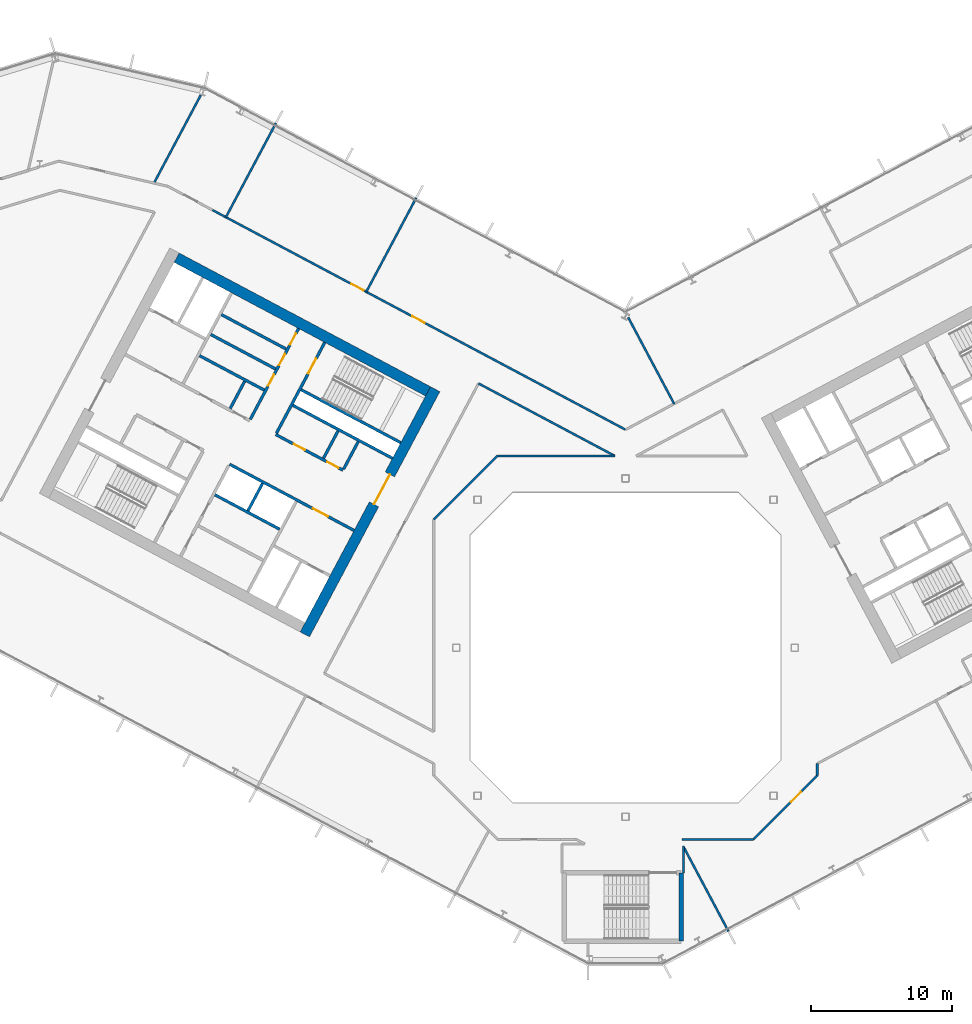
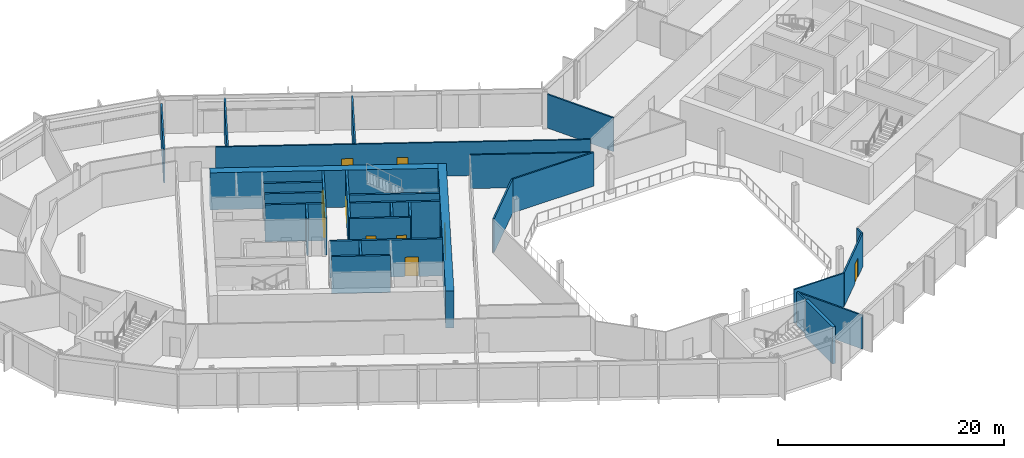
# One storey, part 15 of 28: 30 walls, 11 doors, 11 openings.
"""IFC4 building model written with IfcOpenShell, lengths in metres."""

from ifc_helpers import new_model, si_unit, direction, frame, frame_2d, origin, place, context, subcontext, project, spatial, rectangle, extrude, material, layer, layer_set, type_object, element, fill, save


model = new_model("IFC4")

# Units and contexts
model_context = context("Model", 3, precision=1e-05, world=origin(), true_north=direction((0.0, 1.0)))
body_context = subcontext(model_context, "Body", "Model", "MODEL_VIEW")
ifc_project = project(units=[si_unit("LENGTHUNIT", "METRE"), si_unit("AREAUNIT", "SQUARE_METRE"), si_unit("VOLUMEUNIT", "CUBIC_METRE"), si_unit("PLANEANGLEUNIT", "RADIAN"), si_unit("MASSUNIT", "GRAM", prefix="KILO")], contexts=[model_context])

# Site, building, storey
site_placement = place(None, origin())
site = spatial("IfcSite", under=ifc_project, at=site_placement, CompositionType="ELEMENT")
building_placement = place(site_placement, origin())
building = spatial("IfcBuilding", under=site, at=building_placement, Name="Cormorant Relay Tower", CompositionType="ELEMENT")
storey_placement = place(building_placement, frame((0.0, 0.0, 170.199951171875)))
storey = spatial("IfcBuildingStorey", under=building, at=storey_placement, Name="L36", CompositionType="ELEMENT", Elevation=170.199951171875)

# Walls
ifc_material_1 = material(Name="Concrete 40 MPa", Category="concrete")
ifc_layer_1 = layer(ifc_material_1, 0.199951171875)
ifc_layer_set_1 = layer_set([ifc_layer_1], Name="Core internal wall 200")
wall_type_1 = type_object("IfcWallType", Name="Core internal wall 200", PredefinedType="SOLIDWALL", material=ifc_layer_set_1)
wall_1_placement = place(storey_placement, frame((-20.39013671875, 15.371826171875, 0.0), z_axis=(0.0, 0.0, 1.0), x_axis=(-0.4694473164, -0.882960484464, 0.0)))
element("IfcWall", 1, at=wall_1_placement, inside=storey, type_object=wall_type_1, Name="L36 core A shaft and room wall", PredefinedType="SOLIDWALL", context=body_context, shape_type="SweptSolid", body=[
    extrude(rectangle(XDim=2.199951171875, YDim=0.199951171875, at=frame_2d((1.10009765625, 0.0))), origin(), (0.0, 0.0, 1.0), 4.0),
])
wall_2_placement = place(storey_placement, frame((-25.744140625, 11.64990234375, 0.0), z_axis=(0.0, 0.0, 1.0), x_axis=(-0.469487830541, -0.882938942948, 0.0)))
element("IfcWall", 2, at=wall_2_placement, inside=storey, type_object=wall_type_1, Name="L36 core A shaft and room wall", PredefinedType="SOLIDWALL", context=body_context, shape_type="SweptSolid", body=[
    extrude(rectangle(XDim=2.2001953125, YDim=0.199951171875, at=frame_2d((1.10009765625, 0.0))), origin(), (0.0, 0.0, 1.0), 4.0),
])
wall_3_placement = place(storey_placement, frame((-27.01220703125, 18.892822265625, 0.0), z_axis=(0.0, 0.0, 1.0), x_axis=(-0.4694473164, -0.882960484464, 0.0)))
element("IfcWall", 3, at=wall_3_placement, inside=storey, type_object=wall_type_1, Name="L36 core A shaft and room wall", PredefinedType="SOLIDWALL", context=body_context, shape_type="SweptSolid", body=[
    extrude(rectangle(XDim=2.199951171875, YDim=0.199951171875, at=frame_2d((1.10009765625, 0.0))), origin(), (0.0, 0.0, 1.0), 4.0),
])
for number, where, z_axis, x_axis, name in (
    (4, (-24.073974609375, 21.181396484375, 0.0), (0.0, 0.0, 1.0), (-0.882953967957, 0.469459572775, 0.0), "L36 core A shaft and room wall"),
    (5, (-24.824951171875, 19.7685546875, 0.0), (0.0, 0.0, 1.0), (-0.882934506056, 0.469496174655, 0.0), "L36 core A shaft and room wall"),
):
    element("IfcWall", number, at=place(storey_placement, frame(where, z_axis=z_axis, x_axis=x_axis)), inside=storey, type_object=wall_type_1, Name=name, PredefinedType="SOLIDWALL", context=body_context, shape_type="SweptSolid", body=[
        extrude(rectangle(XDim=5.199951171875, YDim=0.199951171875, at=frame_2d((2.60009765625, 0.0))), origin(), (0.0, 0.0, 1.0), 4.0),
    ])
ifc_material_2 = material(Name="Concrete 50 MPa", Category="concrete")
ifc_layer_2 = layer(ifc_material_2, 0.199951171875)
ifc_layer_set_2 = layer_set([ifc_layer_2], Name="Core shaft wall 200")
wall_type_2 = type_object("IfcWallType", Name="Core shaft wall 200", PredefinedType="SHEAR", material=ifc_layer_set_2)
wall_4_placement = place(storey_placement, frame((-18.959716796875, 14.611328125, 0.0), z_axis=(0.0, 0.0, 1.0), x_axis=(-0.4694473164, -0.882960484464, 0.0)))
element("IfcWall", 6, at=wall_4_placement, inside=storey, type_object=wall_type_2, Name="L36 core A shaft wall", PredefinedType="SHEAR", context=body_context, shape_type="SweptSolid", body=[
    extrude(rectangle(XDim=2.199951171875, YDim=0.199951171875, at=frame_2d((1.10009765625, 0.0))), origin(), (0.0, 0.0, 1.0), 4.0),
])

# Wall, opening, door
wall_5_placement = place(storey_placement, frame((-21.333251953125, 21.6494140625, 0.0), z_axis=(0.0, 0.0, 1.0), x_axis=(-0.469494272526, -0.882935517501, 0.0)))
wall_5 = element("IfcWall", 7, at=wall_5_placement, inside=storey, type_object=wall_type_2, Name="L36 core A shaft wall", PredefinedType="SHEAR", context=body_context, shape_type="SweptSolid", body=[
    extrude(rectangle(XDim=7.2998046875, YDim=0.199951171875, at=frame_2d((3.64990234375, 0.0))), origin(), (0.0, 0.0, 1.0), 4.0),
])
opening_1_placement = place(wall_5_placement, frame((1.300048828125, 0.0, 0.0)))
opening_1 = element("IfcOpeningElement", 8, at=opening_1_placement, cuts=wall_5, Name="Opening CDB-034", PredefinedType="OPENING", context=body_context, shape_type="SweptSolid", body=[
    extrude(rectangle(XDim=1.199951171875, YDim=2.10009765625, at=frame_2d((0.60009765625, 1.050048828125))), frame((0.0, 0.10986328125, 0.0), z_axis=(0.0, -1.0, 0.0), x_axis=(1.0, 0.0, 0.0)), (0.0, 0.0, 1.0), 0.219970703125),
])
ifc_material_3 = material(Name="Steel fire door", Category="steel")
door_type_1 = type_object("IfcDoorType", Name="Core stair door 1200x2100", OperationType="SINGLE_SWING_LEFT", PredefinedType="DOOR", material=ifc_material_3)
door_1_placement = place(opening_1_placement, origin())
door_1 = element("IfcDoor", 9, at=door_1_placement, inside=storey, type_object=door_type_1, Name="Core stair door 1200x2100", OperationType="SINGLE_SWING_RIGHT", OverallHeight=2.10009765625, OverallWidth=1.199951171875, PredefinedType="DOOR", context=body_context, shape_type="SweptSolid", body=[
    extrude(rectangle(XDim=1.199951171875, YDim=2.10009765625, at=frame_2d((0.60009765625, 1.050048828125))), frame((0.0, 0.02490234375, 0.0), z_axis=(0.0, -1.0, 0.0), x_axis=(1.0, 0.0, 0.0)), (0.0, 0.0, 1.0), 0.050048828125),
])
fill(opening_1, door_1)

# Wall, openings, doors
wall_6_placement = place(storey_placement, frame((-23.1875, 22.635498046875, 0.0), z_axis=(0.0, 0.0, 1.0), x_axis=(-0.469454336211, -0.882956752176, 0.0)))
wall_6 = element("IfcWall", 10, at=wall_6_placement, inside=storey, type_object=wall_type_2, Name="L36 core A shaft wall", PredefinedType="SHEAR", context=body_context, shape_type="SweptSolid", body=[
    extrude(rectangle(XDim=7.300048828125, YDim=0.199951171875, at=frame_2d((3.64990234375, 0.0))), origin(), (0.0, 0.0, 1.0), 4.0),
])
opening_2_placement = place(wall_6_placement, frame((0.39990234375, 0.0, 0.0)))
opening_2 = element("IfcOpeningElement", 11, at=opening_2_placement, cuts=wall_6, Name="Opening CDD-174", PredefinedType="OPENING", context=body_context, shape_type="SweptSolid", body=[
    extrude(rectangle(XDim=0.89990234375, YDim=2.10009765625, at=frame_2d((0.449951171875, 1.050048828125))), frame((0.0, 0.10986328125, 0.0), z_axis=(0.0, -1.0, 0.0), x_axis=(1.0, 0.0, 0.0)), (0.0, 0.0, 1.0), 0.219970703125),
])
opening_3_placement = place(wall_6_placement, frame((2.050048828125, 0.0, 0.0)))
opening_3 = element("IfcOpeningElement", 12, at=opening_3_placement, cuts=wall_6, Name="Opening CDD-212", PredefinedType="OPENING", context=body_context, shape_type="SweptSolid", body=[
    extrude(rectangle(XDim=0.89990234375, YDim=2.10009765625, at=frame_2d((0.449951171875, 1.050048828125))), frame((0.0, 0.10986328125, 0.0), z_axis=(0.0, -1.0, 0.0), x_axis=(1.0, 0.0, 0.0)), (0.0, 0.0, 1.0), 0.219970703125),
])
opening_4_placement = place(wall_6_placement, frame((3.699951171875, 0.0, 0.0)))
opening_4 = element("IfcOpeningElement", 13, at=opening_4_placement, cuts=wall_6, Name="Opening CDD-200", PredefinedType="OPENING", context=body_context, shape_type="SweptSolid", body=[
    extrude(rectangle(XDim=0.89990234375, YDim=2.10009765625, at=frame_2d((0.449951171875, 1.050048828125))), frame((0.0, 0.10986328125, 0.0), z_axis=(0.0, -1.0, 0.0), x_axis=(1.0, 0.0, 0.0)), (0.0, 0.0, 1.0), 0.219970703125),
])
ifc_material_4 = material(Name="Steel fire door", Category="steel")
door_type_2 = type_object("IfcDoorType", Name="Core room door 900x2100", OperationType="SINGLE_SWING_LEFT", PredefinedType="DOOR", material=ifc_material_4)
door_2_placement = place(opening_2_placement, origin())
door_2 = element("IfcDoor", 14, at=door_2_placement, inside=storey, type_object=door_type_2, Name="Core room door 900x2100", OperationType="SINGLE_SWING_LEFT", OverallHeight=2.10009765625, OverallWidth=0.89990234375, PredefinedType="DOOR", context=body_context, shape_type="SweptSolid", body=[
    extrude(rectangle(XDim=0.89990234375, YDim=2.10009765625, at=frame_2d((0.449951171875, 1.050048828125))), frame((0.0, 0.02490234375, 0.0), z_axis=(0.0, -1.0, 0.0), x_axis=(1.0, 0.0, 0.0)), (0.0, 0.0, 1.0), 0.050048828125),
])
fill(opening_2, door_2)
door_3_placement = place(opening_3_placement, origin())
door_3 = element("IfcDoor", 15, at=door_3_placement, inside=storey, type_object=door_type_2, Name="Core room door 900x2100", OperationType="SINGLE_SWING_LEFT", OverallHeight=2.10009765625, OverallWidth=0.89990234375, PredefinedType="DOOR", context=body_context, shape_type="SweptSolid", body=[
    extrude(rectangle(XDim=0.89990234375, YDim=2.10009765625, at=frame_2d((0.449951171875, 1.050048828125))), frame((0.0, 0.02490234375, 0.0), z_axis=(0.0, -1.0, 0.0), x_axis=(1.0, 0.0, 0.0)), (0.0, 0.0, 1.0), 0.050048828125),
])
fill(opening_3, door_3)
door_4_placement = place(opening_4_placement, origin())
door_4 = element("IfcDoor", 16, at=door_4_placement, inside=storey, type_object=door_type_2, Name="Core room door 900x2100", OperationType="SINGLE_SWING_LEFT", OverallHeight=2.10009765625, OverallWidth=0.89990234375, PredefinedType="DOOR", context=body_context, shape_type="SweptSolid", body=[
    extrude(rectangle(XDim=0.89990234375, YDim=2.10009765625, at=frame_2d((0.449951171875, 1.050048828125))), frame((0.0, 0.02490234375, 0.0), z_axis=(0.0, -1.0, 0.0), x_axis=(1.0, 0.0, 0.0)), (0.0, 0.0, 1.0), 0.050048828125),
])
fill(opening_4, door_4)

# Walls
wall_7_placement = place(storey_placement, frame((-15.94189453125, 14.53564453125, 0.0), z_axis=(0.0, 0.0, 1.0), x_axis=(-0.882946947542, 0.469472776449, 0.0)))
element("IfcWall", 17, at=wall_7_placement, inside=storey, type_object=wall_type_2, Name="L36 core A shaft wall", PredefinedType="SHEAR", context=body_context, shape_type="SweptSolid", body=[
    extrude(rectangle(XDim=8.000244140625, YDim=0.199951171875, at=frame_2d((4.0, 0.0))), origin(), (0.0, 0.0, 1.0), 4.0),
])
wall_8_placement = place(storey_placement, frame((-16.52880859375, 13.43212890625, 0.0), z_axis=(0.0, 0.0, 1.0), x_axis=(-0.88295287151, 0.469461634952, 0.0)))
element("IfcWall", 18, at=wall_8_placement, inside=storey, type_object=wall_type_2, Name="L36 core A shaft wall", PredefinedType="SHEAR", context=body_context, shape_type="SweptSolid", body=[
    extrude(rectangle(XDim=7.999755859375, YDim=0.199951171875, at=frame_2d((4.0, 0.0))), origin(), (0.0, 0.0, 1.0), 4.0),
])
wall_9_placement = place(storey_placement, frame((-25.623046875, 18.267578125, 0.0), z_axis=(0.0, 0.0, 1.0), x_axis=(-0.882953967957, 0.469459572775, 0.0)))
element("IfcWall", 19, at=wall_9_placement, inside=storey, type_object=wall_type_2, Name="L36 core A shaft wall", PredefinedType="SHEAR", context=body_context, shape_type="SweptSolid", body=[
    extrude(rectangle(XDim=5.199951171875, YDim=0.199951171875, at=frame_2d((2.60009765625, 0.0))), origin(), (0.0, 0.0, 1.0), 4.0),
])

# Wall, openings, doors
wall_10_placement = place(storey_placement, frame((-20.03955078125, 12.58056640625, 0.0), z_axis=(0.0, 0.0, 1.0), x_axis=(-0.882942972946, 0.469480251476, 0.0)))
wall_10 = element("IfcWall", 20, at=wall_10_placement, inside=storey, type_object=wall_type_2, Name="L36 core A shaft wall", PredefinedType="SHEAR", context=body_context, shape_type="SweptSolid", body=[
    extrude(rectangle(XDim=5.39990234375, YDim=0.199951171875, at=frame_2d((2.699951171875, 0.0))), origin(), (0.0, 0.0, 1.0), 4.0),
])
opening_5_placement = place(wall_10_placement, frame((0.360107421875, 0.0, 0.0)))
opening_5 = element("IfcOpeningElement", 21, at=opening_5_placement, cuts=wall_10, Name="Opening CDD-168", PredefinedType="OPENING", context=body_context, shape_type="SweptSolid", body=[
    extrude(rectangle(XDim=0.89990234375, YDim=2.10009765625, at=frame_2d((0.449951171875, 1.050048828125))), frame((0.0, 0.10986328125, 0.0), z_axis=(0.0, -1.0, 0.0), x_axis=(1.0, 0.0, 0.0)), (0.0, 0.0, 1.0), 0.219970703125),
])
opening_6_placement = place(wall_10_placement, frame((3.06005859375, 0.0, 0.0)))
opening_6 = element("IfcOpeningElement", 22, at=opening_6_placement, cuts=wall_10, Name="Opening CDD-169", PredefinedType="OPENING", context=body_context, shape_type="SweptSolid", body=[
    extrude(rectangle(XDim=0.89990234375, YDim=2.10009765625, at=frame_2d((0.449951171875, 1.050048828125))), frame((0.0, 0.10986328125, 0.0), z_axis=(0.0, -1.0, 0.0), x_axis=(1.0, 0.0, 0.0)), (0.0, 0.0, 1.0), 0.219970703125),
])
door_5_placement = place(opening_5_placement, origin())
door_5 = element("IfcDoor", 23, at=door_5_placement, inside=storey, type_object=door_type_2, Name="Core room door 900x2100", OperationType="SINGLE_SWING_LEFT", OverallHeight=2.10009765625, OverallWidth=0.89990234375, PredefinedType="DOOR", context=body_context, shape_type="SweptSolid", body=[
    extrude(rectangle(XDim=0.89990234375, YDim=2.10009765625, at=frame_2d((0.449951171875, 1.050048828125))), frame((0.0, 0.02490234375, 0.0), z_axis=(0.0, -1.0, 0.0), x_axis=(1.0, 0.0, 0.0)), (0.0, 0.0, 1.0), 0.050048828125),
])
fill(opening_5, door_5)
door_6_placement = place(opening_6_placement, origin())
door_6 = element("IfcDoor", 24, at=door_6_placement, inside=storey, type_object=door_type_2, Name="Core room door 900x2100", OperationType="SINGLE_SWING_LEFT", OverallHeight=2.10009765625, OverallWidth=0.89990234375, PredefinedType="DOOR", context=body_context, shape_type="SweptSolid", body=[
    extrude(rectangle(XDim=0.89990234375, YDim=2.10009765625, at=frame_2d((0.449951171875, 1.050048828125))), frame((0.0, 0.02490234375, 0.0), z_axis=(0.0, -1.0, 0.0), x_axis=(1.0, 0.0, 0.0)), (0.0, 0.0, 1.0), 0.050048828125),
])
fill(opening_6, door_6)

# Wall, opening, door
wall_11_placement = place(storey_placement, frame((-19.251708984375, 8.31103515625, 0.0), z_axis=(0.0, 0.0, 1.0), x_axis=(-0.882955722218, 0.469456273365, 0.0)))
wall_11 = element("IfcWall", 25, at=wall_11_placement, inside=storey, type_object=wall_type_2, Name="L36 core A shaft wall", PredefinedType="SHEAR", context=body_context, shape_type="SweptSolid", body=[
    extrude(rectangle(XDim=10.0, YDim=0.199951171875, at=frame_2d((5.0, 0.0))), origin(), (0.0, 0.0, 1.0), 4.0),
])
opening_7_placement = place(wall_11_placement, frame((2.10009765625, 0.0, 0.0)))
opening_7 = element("IfcOpeningElement", 26, at=opening_7_placement, cuts=wall_11, Name="Opening CDC-025", PredefinedType="OPENING", context=body_context, shape_type="SweptSolid", body=[
    extrude(rectangle(XDim=1.199951171875, YDim=2.10009765625, at=frame_2d((0.60009765625, 1.050048828125))), frame((0.0, 0.10986328125, 0.0), z_axis=(0.0, -1.0, 0.0), x_axis=(1.0, 0.0, 0.0)), (0.0, 0.0, 1.0), 0.219970703125),
])
ifc_material_5 = material(Name="Steel fire door", Category="steel")
door_type_3 = type_object("IfcDoorType", Name="Core lobby door 1200x2100", OperationType="SINGLE_SWING_LEFT", PredefinedType="DOOR", material=ifc_material_5)
door_7_placement = place(opening_7_placement, origin())
door_7 = element("IfcDoor", 27, at=door_7_placement, inside=storey, type_object=door_type_3, Name="Core lobby door 1200x2100", OperationType="SINGLE_SWING_RIGHT", OverallHeight=2.10009765625, OverallWidth=1.199951171875, PredefinedType="DOOR", context=body_context, shape_type="SweptSolid", body=[
    extrude(rectangle(XDim=1.199951171875, YDim=2.10009765625, at=frame_2d((0.60009765625, 1.050048828125))), frame((0.0, 0.02490234375, 0.0), z_axis=(0.0, -1.0, 0.0), x_axis=(1.0, 0.0, 0.0)), (0.0, 0.0, 1.0), 0.050048828125),
])
fill(opening_7, door_7)

# Wall
wall_12_placement = place(storey_placement, frame((-24.5283203125, 8.3984375, 0.0), z_axis=(0.0, 0.0, 1.0), x_axis=(-0.882953967957, 0.469459572775, 0.0)))
element("IfcWall", 28, at=wall_12_placement, inside=storey, type_object=wall_type_2, Name="L36 core A shaft wall", PredefinedType="SHEAR", context=body_context, shape_type="SweptSolid", body=[
    extrude(rectangle(XDim=5.199951171875, YDim=0.199951171875, at=frame_2d((2.60009765625, 0.0))), origin(), (0.0, 0.0, 1.0), 4.0),
])

# Wall, opening, door
ifc_material_6 = material(Name="Concrete 60 MPa", Category="concrete")
ifc_layer_3 = layer(ifc_material_6, 0.75)
ifc_layer_set_3 = layer_set([ifc_layer_3], Name="Core wall 750")
wall_type_3 = type_object("IfcWallType", Name="Core wall 750", PredefinedType="SHEAR", material=ifc_layer_set_3)
wall_13_placement = place(storey_placement, frame((-13.498291015625, 18.3330078125, 0.0), z_axis=(0.0, 0.0, 1.0), x_axis=(-0.469469918705, -0.88294846703, 0.0)))
wall_13 = element("IfcWall", 29, at=wall_13_placement, inside=storey, type_object=wall_type_3, Name="L36 core A wall", PredefinedType="SHEAR", context=body_context, shape_type="SweptSolid", body=[
    extrude(rectangle(XDim=19.699951171875, YDim=0.75, at=frame_2d((9.85009765625, 0.0))), origin(), (0.0, 0.0, 1.0), 4.0),
])
opening_8_placement = place(wall_13_placement, frame((6.85009765625, 0.0, 0.0)))
opening_8 = element("IfcOpeningElement", 30, at=opening_8_placement, cuts=wall_13, Name="Opening CDA-026", PredefinedType="OPENING", context=body_context, shape_type="SweptSolid", body=[
    extrude(rectangle(XDim=2.39990234375, YDim=2.39990234375, at=frame_2d((1.199951171875, 1.199951171875))), frame((0.0, 0.385009765625, 0.0), z_axis=(0.0, -1.0, 0.0), x_axis=(1.0, 0.0, 0.0)), (0.0, 0.0, 1.0), 0.77001953125),
])
ifc_material_7 = material(Name="Steel fire door", Category="steel")
door_type_4 = type_object("IfcDoorType", Name="Core lobby door 2400x2400", OperationType="DOUBLE_DOOR_SINGLE_SWING", PredefinedType="DOOR", material=ifc_material_7)
door_8_placement = place(opening_8_placement, origin())
door_8 = element("IfcDoor", 31, at=door_8_placement, inside=storey, type_object=door_type_4, Name="Core lobby door 2400x2400", OperationType="DOUBLE_DOOR_SINGLE_SWING", OverallHeight=2.39990234375, OverallWidth=2.39990234375, PredefinedType="DOOR", context=body_context, shape_type="SweptSolid", body=[
    extrude(rectangle(XDim=2.39990234375, YDim=2.39990234375, at=frame_2d((1.199951171875, 1.199951171875))), frame((0.0, 0.02490234375, 0.0), z_axis=(0.0, -1.0, 0.0), x_axis=(1.0, 0.0, 0.0)), (0.0, 0.0, 1.0), 0.050048828125),
])
fill(opening_8, door_8)

# Wall
wall_14_placement = place(storey_placement, frame((-14.00537109375, 18.177978515625, 0.0), z_axis=(0.0, 0.0, 1.0), x_axis=(-0.88295010195, 0.469466843842, 0.0)))
element("IfcWall", 32, at=wall_14_placement, inside=storey, type_object=wall_type_3, Name="L36 core A wall", PredefinedType="SHEAR", context=body_context, shape_type="SweptSolid", body=[
    extrude(rectangle(XDim=20.199951171875, YDim=0.75, at=frame_2d((10.10009765625, 0.0))), origin(), (0.0, 0.0, 1.0), 4.0),
])

# Wall, openings, doors
ifc_material_8 = material(Name="Gypsum board fire partition")
ifc_layer_4 = layer(ifc_material_8, 0.14990234375)
ifc_layer_set_4 = layer_set([ifc_layer_4], Name="Corridor partition 150 EI 60")
wall_type_4 = type_object("IfcWallType", Name="Corridor partition 150 EI 60", PredefinedType="PARTITIONING", material=ifc_layer_set_4)
wall_15_placement = place(storey_placement, frame((-29.302001953125, 31.0400390625, 0.0), z_axis=(0.0, 0.0, 1.0), x_axis=(0.882948500672, -0.469469855433, 0.0)))
wall_15 = element("IfcWall", 33, at=wall_15_placement, inside=storey, type_object=wall_type_4, Name="wall/L36/part/033", PredefinedType="PARTITIONING", context=body_context, shape_type="SweptSolid", body=[
    extrude(rectangle(XDim=33.1865234375, YDim=0.14990234375, at=frame_2d((16.59326171875, 0.0))), origin(), (0.0, 0.0, 1.0), 3.64013671875),
])
opening_9_placement = place(wall_15_placement, frame((16.050048828125, 0.0, 0.0)))
opening_9 = element("IfcOpeningElement", 34, at=opening_9_placement, cuts=wall_15, Name="Opening DS-067", PredefinedType="OPENING", context=body_context, shape_type="SweptSolid", body=[
    extrude(rectangle(XDim=1.0, YDim=2.10009765625, at=frame_2d((0.5, 1.050048828125))), frame((0.0, 0.0849609375, 0.0), z_axis=(0.0, -1.0, 0.0), x_axis=(1.0, 0.0, 0.0)), (0.0, 0.0, 1.0), 0.169921875),
])
opening_10_placement = place(wall_15_placement, frame((11.14990234375, 0.0, 0.0)))
opening_10 = element("IfcOpeningElement", 35, at=opening_10_placement, cuts=wall_15, Name="Opening DS-068", PredefinedType="OPENING", context=body_context, shape_type="SweptSolid", body=[
    extrude(rectangle(XDim=1.0, YDim=2.10009765625, at=frame_2d((0.5, 1.050048828125))), frame((0.0, 0.0849609375, 0.0), z_axis=(0.0, -1.0, 0.0), x_axis=(1.0, 0.0, 0.0)), (0.0, 0.0, 1.0), 0.169921875),
])
ifc_material_9 = material(Name="Timber door leaf", Category="wood")
door_type_5 = type_object("IfcDoorType", Name="Suite door 1000x2100", OperationType="SINGLE_SWING_LEFT", PredefinedType="DOOR", material=ifc_material_9)
door_9_placement = place(opening_9_placement, origin())
door_9 = element("IfcDoor", 36, at=door_9_placement, inside=storey, type_object=door_type_5, Name="door/L36/008", OperationType="SINGLE_SWING_RIGHT", OverallHeight=2.10009765625, OverallWidth=1.0, PredefinedType="DOOR", context=body_context, shape_type="SweptSolid", body=[
    extrude(rectangle(XDim=1.0, YDim=2.10009765625, at=frame_2d((0.5, 1.050048828125))), frame((0.0, 0.02490234375, 0.0), z_axis=(0.0, -1.0, 0.0), x_axis=(1.0, 0.0, 0.0)), (0.0, 0.0, 1.0), 0.050048828125),
])
fill(opening_9, door_9)
door_10_placement = place(opening_10_placement, origin())
door_10 = element("IfcDoor", 37, at=door_10_placement, inside=storey, type_object=door_type_5, Name="door/L36/009", OperationType="SINGLE_SWING_RIGHT", OverallHeight=2.10009765625, OverallWidth=1.0, PredefinedType="DOOR", context=body_context, shape_type="SweptSolid", body=[
    extrude(rectangle(XDim=1.0, YDim=2.10009765625, at=frame_2d((0.5, 1.050048828125))), frame((0.0, 0.02490234375, 0.0), z_axis=(0.0, -1.0, 0.0), x_axis=(1.0, 0.0, 0.0)), (0.0, 0.0, 1.0), 0.050048828125),
])
fill(opening_10, door_10)

# Wall
wall_16_placement = place(storey_placement, frame((13.60009765625, -8.23291015625, 0.0), z_axis=(0.0, 0.0, 1.0), x_axis=(0.0, -1.0, 0.0)))
element("IfcWall", 38, at=wall_16_placement, inside=storey, type_object=wall_type_4, Name="wall/L36/part/050", PredefinedType="PARTITIONING", context=body_context, shape_type="SweptSolid", body=[
    extrude(rectangle(XDim=0.843994140625, YDim=0.14990234375, at=frame_2d((0.421875, 0.0))), origin(), (0.0, 0.0, 1.0), 3.64013671875),
])

# Wall, opening, door
wall_17_placement = place(storey_placement, frame((13.60009765625, -9.076904296875, 0.0), z_axis=(0.0, 0.0, 1.0), x_axis=(-0.707106781187, -0.707106781187, 0.0)))
wall_17 = element("IfcWall", 39, at=wall_17_placement, inside=storey, type_object=wall_type_4, Name="wall/L36/part/051", PredefinedType="PARTITIONING", context=body_context, shape_type="SweptSolid", body=[
    extrude(rectangle(XDim=6.396728515625, YDim=0.14990234375, at=frame_2d((3.1982421875, 0.0))), origin(), (0.0, 0.0, 1.0), 3.64013671875),
])
opening_11_placement = place(wall_17_placement, frame((1.64990234375, 0.0, 0.0)))
opening_11 = element("IfcOpeningElement", 40, at=opening_11_placement, cuts=wall_17, Name="Opening DS-064", PredefinedType="OPENING", context=body_context, shape_type="SweptSolid", body=[
    extrude(rectangle(XDim=1.0, YDim=2.10009765625, at=frame_2d((0.5, 1.050048828125))), frame((0.0, 0.0849609375, 0.0), z_axis=(0.0, -1.0, 0.0), x_axis=(1.0, 0.0, 0.0)), (0.0, 0.0, 1.0), 0.169921875),
])
door_11_placement = place(opening_11_placement, origin())
door_11 = element("IfcDoor", 41, at=door_11_placement, inside=storey, type_object=door_type_5, Name="door/L36/003", OperationType="SINGLE_SWING_LEFT", OverallHeight=2.10009765625, OverallWidth=1.0, PredefinedType="DOOR", context=body_context, shape_type="SweptSolid", body=[
    extrude(rectangle(XDim=1.0, YDim=2.10009765625, at=frame_2d((0.5, 1.050048828125))), frame((0.0, 0.02490234375, 0.0), z_axis=(0.0, -1.0, 0.0), x_axis=(1.0, 0.0, 0.0)), (0.0, 0.0, 1.0), 0.050048828125),
])
fill(opening_11, door_11)

# Walls
wall_18_placement = place(storey_placement, frame((9.076904296875, -13.60009765625, 0.0), z_axis=(0.0, 0.0, 1.0), x_axis=(-1.0, 0.0, 0.0)))
element("IfcWall", 42, at=wall_18_placement, inside=storey, type_object=wall_type_4, Name="wall/L36/part/052", PredefinedType="PARTITIONING", context=body_context, shape_type="SweptSolid", body=[
    extrude(rectangle(XDim=5.077880859375, YDim=0.14990234375, at=frame_2d((2.5390625, 0.0))), origin(), (0.0, 0.0, 1.0), 3.64013671875),
])
wall_19_placement = place(storey_placement, frame((4.10009765625, -14.083984375, 0.0), z_axis=(0.0, 0.0, 1.0), x_axis=(0.0, -1.0, 0.0)))
element("IfcWall", 43, at=wall_19_placement, inside=storey, type_object=wall_type_4, Name="wall/L36/part/053", PredefinedType="PARTITIONING", context=body_context, shape_type="SweptSolid", body=[
    extrude(rectangle(XDim=1.89111328125, YDim=0.14990234375, at=frame_2d((0.945556640625, 0.0))), origin(), (0.0, 0.0, 1.0), 3.64013671875),
])
wall_20_placement = place(storey_placement, frame((-10.424072265625, 18.737060546875, 0.0), z_axis=(0.0, 0.0, 1.0), x_axis=(0.88294579514, -0.469474943787, 0.0)))
element("IfcWall", 44, at=wall_20_placement, inside=storey, type_object=wall_type_4, Name="wall/L36/part/077", PredefinedType="PARTITIONING", context=body_context, shape_type="SweptSolid", body=[
    extrude(rectangle(XDim=10.94189453125, YDim=0.14990234375, at=frame_2d((5.470947265625, 0.0))), origin(), (0.0, 0.0, 1.0), 3.64013671875),
])
wall_21_placement = place(storey_placement, frame((-0.762939453125, 13.60009765625, 0.0), z_axis=(0.0, 0.0, 1.0), x_axis=(-1.0, 0.0, 0.0)))
element("IfcWall", 45, at=wall_21_placement, inside=storey, type_object=wall_type_4, Name="wall/L36/part/078", PredefinedType="PARTITIONING", context=body_context, shape_type="SweptSolid", body=[
    extrude(rectangle(XDim=8.31396484375, YDim=0.14990234375, at=frame_2d((4.156982421875, 0.0))), origin(), (0.0, 0.0, 1.0), 3.64013671875),
])
wall_22_placement = place(storey_placement, frame((-9.076904296875, 13.60009765625, 0.0), z_axis=(0.0, 0.0, 1.0), x_axis=(-0.707106781187, -0.707106781187, 0.0)))
element("IfcWall", 46, at=wall_22_placement, inside=storey, type_object=wall_type_4, Name="wall/L36/part/079", PredefinedType="PARTITIONING", context=body_context, shape_type="SweptSolid", body=[
    extrude(rectangle(XDim=6.396728515625, YDim=0.14990234375, at=frame_2d((3.1982421875, 0.0))), origin(), (0.0, 0.0, 1.0), 3.64013671875),
])
ifc_material_10 = material(Name="Concrete 50 MPa", Category="concrete")
ifc_layer_5 = layer(ifc_material_10, 0.300048828125)
ifc_layer_set_5 = layer_set([ifc_layer_5], Name="Remote stair wall 300")
wall_type_5 = type_object("IfcWallType", Name="Remote stair wall 300", PredefinedType="SHEAR", material=ifc_layer_set_5)
wall_23_placement = place(storey_placement, frame((3.949951171875, -15.97509765625, 0.0), z_axis=(0.0, 0.0, 1.0), x_axis=(0.0, -1.0, 0.0)))
element("IfcWall", 47, at=wall_23_placement, inside=storey, type_object=wall_type_5, Name="L36 exit stair RK1 wall", PredefinedType="SHEAR", context=body_context, shape_type="SweptSolid", body=[
    extrude(rectangle(XDim=4.849853515625, YDim=0.300048828125, at=frame_2d((2.4248046875, 0.0))), origin(), (0.0, 0.0, 1.0), 4.0),
])
ifc_material_11 = material(Name="Gypsum board partition")
ifc_layer_6 = layer(ifc_material_11, 0.14990234375)
ifc_layer_set_6 = layer_set([ifc_layer_6], Name="Tenant partition 150")
wall_type_6 = type_object("IfcWallType", Name="Tenant partition 150", PredefinedType="PARTITIONING", material=ifc_layer_set_6)
wall_24_placement = place(storey_placement, frame((-30.12890625, 39.18798828125, 0.0), z_axis=(0.0, 0.0, 1.0), x_axis=(-0.469506376509, -0.882929081194, 0.0)))
element("IfcWall", 48, at=wall_24_placement, inside=storey, type_object=wall_type_6, Name="wall/L36/part/030", PredefinedType="PARTITIONING", context=body_context, shape_type="SweptSolid", body=[
    extrude(rectangle(XDim=7.065185546875, YDim=0.14990234375, at=frame_2d((3.53271484375, 0.0))), origin(), (0.0, 0.0, 1.0), 3.64013671875),
])
for number, where, z_axis, x_axis, name in (
    (49, (-24.800048828125, 37.197021484375, 0.0), (0.0, 0.0, 1.0), (-0.469527165858, -0.882918025935, 0.0), "wall/L36/part/035"),
    (50, (-14.843994140625, 31.903076171875, 0.0), (0.0, 0.0, 1.0), (-0.469271860983, -0.883053747226, 0.0), "wall/L36/part/036"),
):
    element("IfcWall", number, at=place(storey_placement, frame(where, z_axis=z_axis, x_axis=x_axis)), inside=storey, type_object=wall_type_6, Name=name, PredefinedType="PARTITIONING", context=body_context, shape_type="SweptSolid", body=[
        extrude(rectangle(XDim=7.550048828125, YDim=0.14990234375, at=frame_2d((3.77490234375, 0.0))), origin(), (0.0, 0.0, 1.0), 3.64013671875),
    ])
wall_25_placement = place(storey_placement, frame((0.19091796875, 23.422119140625, 0.0), z_axis=(0.0, 0.0, 1.0), x_axis=(0.46954180368, -0.882910241529, 0.0)))
element("IfcWall", 51, at=wall_25_placement, inside=storey, type_object=wall_type_6, Name="wall/L36/part/037", PredefinedType="PARTITIONING", context=body_context, shape_type="SweptSolid", body=[
    extrude(rectangle(XDim=6.94091796875, YDim=0.14990234375, at=frame_2d((3.470458984375, 0.0))), origin(), (0.0, 0.0, 1.0), 3.64013671875),
])
wall_26_placement = place(storey_placement, frame((7.303955078125, -20.126953125, 0.0), z_axis=(0.0, 0.0, 1.0), x_axis=(-0.469394067071, 0.882988793699, 0.0)))
element("IfcWall", 52, at=wall_26_placement, inside=storey, type_object=wall_type_6, Name="wall/L36/part/054", PredefinedType="PARTITIONING", context=body_context, shape_type="SweptSolid", body=[
    extrude(rectangle(XDim=6.825439453125, YDim=0.14990234375, at=frame_2d((3.41259765625, 0.0))), origin(), (0.0, 0.0, 1.0), 3.64013671875),
])

save(model, "model.ifc")
